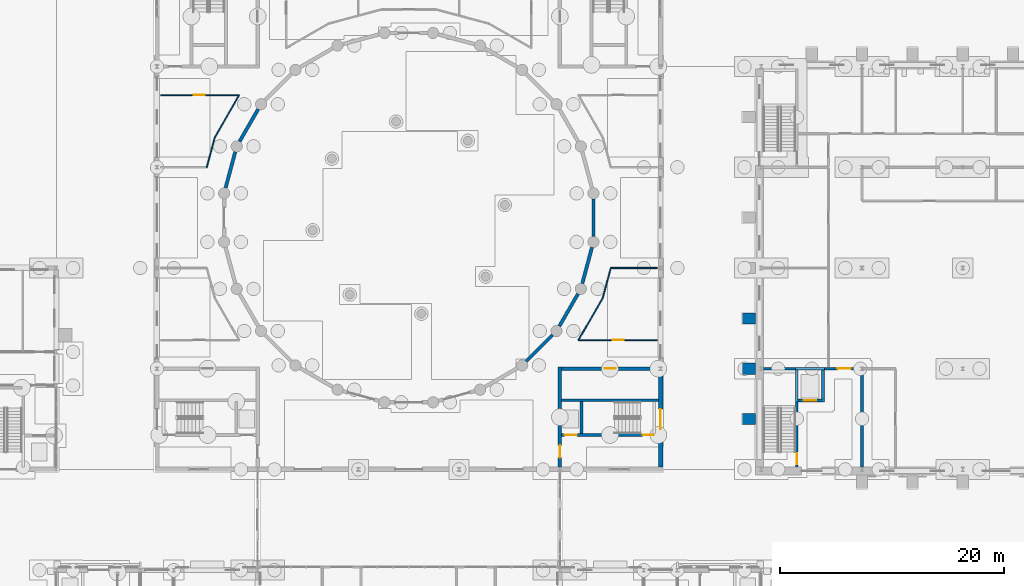
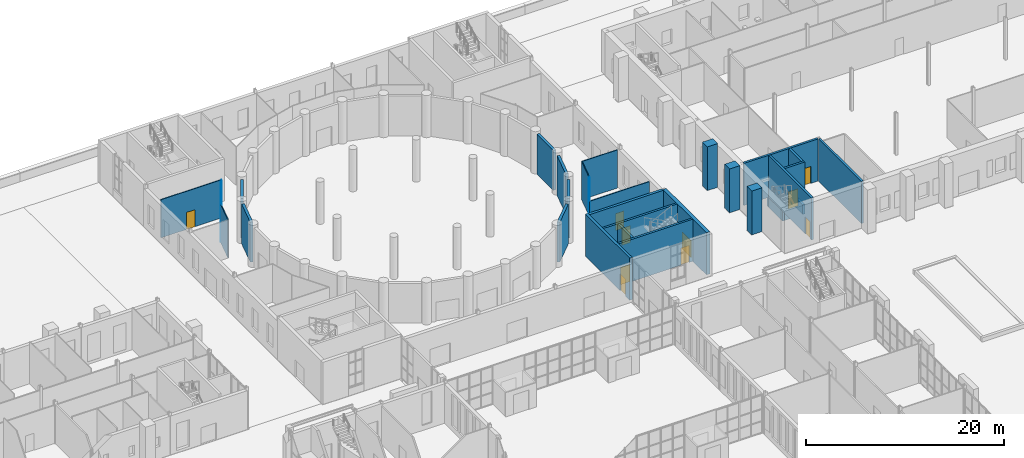
# One storey, part 99 of 168: 31 walls, 10 doors, 10 openings.
"""IFC4 building model written with IfcOpenShell, lengths in metres."""

from ifc_helpers import new_model, si_unit, direction, frame, frame_2d, origin, place, context, subcontext, project, spatial, rectangle, extrude, material, layer, layer_set, type_object, element, fill, save


model = new_model("IFC4")

# Units and contexts
model_context = context("Model", 3, precision=1e-05, world=origin(), true_north=direction((0.0, 1.0)))
body_context = subcontext(model_context, "Body", "Model", "MODEL_VIEW")
ifc_project = project(units=[si_unit("LENGTHUNIT", "METRE"), si_unit("AREAUNIT", "SQUARE_METRE"), si_unit("VOLUMEUNIT", "CUBIC_METRE"), si_unit("PLANEANGLEUNIT", "RADIAN"), si_unit("MASSUNIT", "GRAM", prefix="KILO")], contexts=[model_context])

# Site, building, storey
site_placement = place(None, origin())
site = spatial("IfcSite", under=ifc_project, at=site_placement, CompositionType="ELEMENT")
building_placement = place(site_placement, origin())
building = spatial("IfcBuilding", under=site, at=building_placement, Name="Golden Quay Civic Hall", CompositionType="ELEMENT")
storey_placement = place(building_placement, origin())
storey = spatial("IfcBuildingStorey", under=building, at=storey_placement, Name="L00", CompositionType="ELEMENT", Elevation=0.0)

# Wall, opening, door
ifc_material_1 = material(Name="Concrete C40/50", Category="concrete")
ifc_layer_1 = layer(ifc_material_1, 0.25)
ifc_layer_set_1 = layer_set([ifc_layer_1], Name="Concrete core wall 250, Concrete C40/50")
wall_type_1 = type_object("IfcWallType", Name="Concrete core wall 250", PredefinedType="SHEAR", material=ifc_layer_set_1)
wall_1_placement = place(storey_placement, frame((120.175048828125, 63.199951171875, 0.0), z_axis=(0.0, 0.0, 1.0), x_axis=(0.0, 1.0, 0.0)))
wall_1 = element("IfcWall", 1, at=wall_1_placement, inside=storey, type_object=wall_type_1, Name="L00 core wall W stair east", PredefinedType="SHEAR", context=body_context, shape_type="SweptSolid", body=[
    extrude(rectangle(XDim=8.675048828125, YDim=0.25, at=frame_2d((4.33740234375, 0.0))), origin(), (0.0, 0.0, 1.0), 5.199951171875),
])
opening_1_placement = place(wall_1_placement, frame((0.25, 0.0, 0.0)))
opening_1 = element("IfcOpeningElement", 2, at=opening_1_placement, cuts=wall_1, Name="Opening L00-D220", PredefinedType="OPENING", context=body_context, shape_type="SweptSolid", body=[
    extrude(rectangle(XDim=1.0, YDim=2.10009765625, at=frame_2d((0.5, 1.050048828125))), frame((0.0, 0.135009765625, 0.0), z_axis=(0.0, -1.0, 0.0), x_axis=(1.0, 0.0, 0.0)), (0.0, 0.0, 1.0), 0.27001953125),
])
ifc_material_2 = material(Name="Steel", Category="steel")
door_type_1 = type_object("IfcDoorType", Name="Steel fire door FD60 1000 x 2100", OperationType="SINGLE_SWING_LEFT", PredefinedType="DOOR", material=ifc_material_2)
door_1_placement = place(opening_1_placement, frame((1.0, 0.0, 0.0), z_axis=(0.0, 0.0, 1.0), x_axis=(-1.0, 0.0, 0.0)))
door_1 = element("IfcDoor", 3, at=door_1_placement, inside=storey, type_object=door_type_1, Name="Stair door LB-W", OperationType="SINGLE_SWING_RIGHT", OverallHeight=2.10009765625, OverallWidth=1.0, PredefinedType="DOOR", context=body_context, shape_type="SweptSolid", body=[
    extrude(rectangle(XDim=1.0, YDim=2.10009765625, at=frame_2d((0.5, 1.050048828125))), frame((0.0, 0.025146484375, 0.0), z_axis=(0.0, -1.0, 0.0), x_axis=(1.0, 0.0, 0.0)), (0.0, 0.0, 1.0), 0.050048828125),
])
fill(opening_1, door_1)

# Wall
wall_2_placement = place(storey_placement, frame((126.0, 63.199951171875, 0.0), z_axis=(0.0, 0.0, 1.0), x_axis=(0.0, 1.0, 0.0)))
element("IfcWall", 4, at=wall_2_placement, inside=storey, type_object=wall_type_1, Name="L00 core wall W east boundary", PredefinedType="SHEAR", context=body_context, shape_type="SweptSolid", body=[
    extrude(rectangle(XDim=8.650146484375, YDim=0.25, at=frame_2d((4.3251953125, 0.0))), origin(), (0.0, 0.0, 1.0), 5.199951171875),
])

# Wall, opening, door
wall_3_placement = place(storey_placement, frame((117.199951171875, 72.0, 0.0), z_axis=(0.0, 0.0, 1.0), x_axis=(1.0, 0.0, 0.0)))
wall_3 = element("IfcWall", 5, at=wall_3_placement, inside=storey, type_object=wall_type_1, Name="L00 core wall W north boundary", PredefinedType="SHEAR", context=body_context, shape_type="SweptSolid", body=[
    extrude(rectangle(XDim=8.650146484375, YDim=0.25, at=frame_2d((4.3251953125, 0.0))), origin(), (0.0, 0.0, 1.0), 5.199951171875),
])
opening_2_placement = place(wall_3_placement, frame((6.60009765625, 0.0, 0.0)))
opening_2 = element("IfcOpeningElement", 6, at=opening_2_placement, cuts=wall_3, Name="Opening L00-D222", PredefinedType="OPENING", context=body_context, shape_type="SweptSolid", body=[
    extrude(rectangle(XDim=1.199951171875, YDim=2.10009765625, at=frame_2d((0.60009765625, 1.050048828125))), frame((0.0, 0.135009765625, 0.0), z_axis=(0.0, -1.0, 0.0), x_axis=(1.0, 0.0, 0.0)), (0.0, 0.0, 1.0), 0.27001953125),
])
ifc_material_3 = material(Name="Steel", Category="steel")
door_type_2 = type_object("IfcDoorType", Name="Steel fire door FD60 1200 x 2100", OperationType="SINGLE_SWING_LEFT", PredefinedType="DOOR", material=ifc_material_3)
door_2_placement = place(opening_2_placement, origin())
door_2 = element("IfcDoor", 7, at=door_2_placement, inside=storey, type_object=door_type_2, Name="Lobby door LB-W", OperationType="SINGLE_SWING_LEFT", OverallHeight=2.10009765625, OverallWidth=1.199951171875, PredefinedType="DOOR", context=body_context, shape_type="SweptSolid", body=[
    extrude(rectangle(XDim=1.199951171875, YDim=2.10009765625, at=frame_2d((0.60009765625, 1.050048828125))), frame((0.0, 0.02490234375, 0.0), z_axis=(0.0, -1.0, 0.0), x_axis=(1.0, 0.0, 0.0)), (0.0, 0.0, 1.0), 0.050048828125),
])
fill(opening_2, door_2)

wall_4_placement = place(storey_placement, frame((120.300048828125, 69.14990234375, 0.0), z_axis=(0.0, 0.0, 1.0), x_axis=(1.0, 0.0, 0.0)))
wall_4 = element("IfcWall", 8, at=wall_4_placement, inside=storey, type_object=wall_type_1, Name="L00 core wall W lift south", PredefinedType="SHEAR", context=body_context, shape_type="SweptSolid", body=[
    extrude(rectangle(XDim=2.349853515625, YDim=0.25, at=frame_2d((1.1748046875, 0.0))), origin(), (0.0, 0.0, 1.0), 5.199951171875),
])
opening_3_placement = place(wall_4_placement, frame((0.5, 0.0, 0.0)))
opening_3 = element("IfcOpeningElement", 9, at=opening_3_placement, cuts=wall_4, Name="Opening L00-D221", PredefinedType="OPENING", context=body_context, shape_type="SweptSolid", body=[
    extrude(rectangle(XDim=1.10009765625, YDim=2.10009765625, at=frame_2d((0.550048828125, 1.050048828125))), frame((0.0, 0.135009765625, 0.0), z_axis=(0.0, -1.0, 0.0), x_axis=(1.0, 0.0, 0.0)), (0.0, 0.0, 1.0), 0.27001953125),
])
ifc_material_4 = material(Name="Steel", Category="steel")
door_type_3 = type_object("IfcDoorType", Name="Lift landing door 1100 x 2100", OperationType="SLIDING_TO_LEFT", PredefinedType="DOOR", material=ifc_material_4)
door_3_placement = place(opening_3_placement, origin())
door_3 = element("IfcDoor", 10, at=door_3_placement, inside=storey, type_object=door_type_3, Name="Lift landing door", OperationType="SLIDING_TO_LEFT", OverallHeight=2.10009765625, OverallWidth=1.10009765625, PredefinedType="DOOR", context=body_context, shape_type="SweptSolid", body=[
    extrude(rectangle(XDim=1.10009765625, YDim=2.10009765625, at=frame_2d((0.550048828125, 1.050048828125))), frame((0.0, 0.02490234375, 0.0), z_axis=(0.0, -1.0, 0.0), x_axis=(1.0, 0.0, 0.0)), (0.0, 0.0, 1.0), 0.050048828125),
])
fill(opening_3, door_3)

# Walls
wall_5_placement = place(storey_placement, frame((122.52490234375, 69.27490234375, 0.0), z_axis=(0.0, 0.0, 1.0), x_axis=(0.0, 1.0, 0.0)))
element("IfcWall", 11, at=wall_5_placement, inside=storey, type_object=wall_type_1, Name="L00 core wall W lift east", PredefinedType="SHEAR", context=body_context, shape_type="SweptSolid", body=[
    extrude(rectangle(XDim=2.60009765625, YDim=0.25, at=frame_2d((1.300048828125, 0.0))), origin(), (0.0, 0.0, 1.0), 5.199951171875),
])
wall_6_placement = place(storey_placement, frame((120.300048828125, 69.14990234375, -1.199951171875), z_axis=(0.0, 0.0, 1.0), x_axis=(1.0, 0.0, 0.0)))
element("IfcWall", 12, at=wall_6_placement, inside=storey, type_object=wall_type_1, Name="L00 lift pit wall W south", PredefinedType="SHEAR", context=body_context, shape_type="SweptSolid", body=[
    extrude(rectangle(XDim=2.349853515625, YDim=0.25, at=frame_2d((1.1748046875, 0.0))), origin(), (0.0, 0.0, 1.0), 1.199951171875),
])
for number, where, z_axis, x_axis, name in (
    (13, (122.52490234375, 69.02490234375, -1.199951171875), (0.0, 0.0, 1.0), (0.0, 1.0, 0.0), "L00 lift pit wall W east"),
    (14, (120.175048828125, 69.02490234375, -1.199951171875), (0.0, 0.0, 1.0), (0.0, 1.0, 0.0), "L00 lift pit wall W west"),
):
    element("IfcWall", number, at=place(storey_placement, frame(where, z_axis=z_axis, x_axis=x_axis)), inside=storey, type_object=wall_type_1, Name=name, PredefinedType="SHEAR", context=body_context, shape_type="SweptSolid", body=[
        extrude(rectangle(XDim=2.85009765625, YDim=0.25, at=frame_2d((1.425048828125, 0.0))), origin(), (0.0, 0.0, 1.0), 1.199951171875),
    ])
wall_7_placement = place(storey_placement, frame((120.050048828125, 72.0, -1.199951171875), z_axis=(0.0, 0.0, 1.0), x_axis=(1.0, 0.0, 0.0)))
element("IfcWall", 15, at=wall_7_placement, inside=storey, type_object=wall_type_1, Name="L00 lift pit wall W north", PredefinedType="SHEAR", context=body_context, shape_type="SweptSolid", body=[
    extrude(rectangle(XDim=2.599853515625, YDim=0.25, at=frame_2d((1.2998046875, 0.0))), origin(), (0.0, 0.0, 1.0), 1.199951171875),
])
ifc_material_5 = material(Name="Gypsum board on steel stud", Category="steel")
ifc_layer_2 = layer(ifc_material_5, 0.10009765625)
ifc_layer_set_2 = layer_set([ifc_layer_2], Name="Partition 100 stud fire EI 60")
wall_type_2 = type_object("IfcWallType", Name="Partition 100 stud fire EI 60", PredefinedType="PARTITIONING", material=ifc_layer_set_2)
wall_8_placement = place(storey_placement, frame((67.4443359375, 89.97998046875, 0.0), z_axis=(0.0, 0.0, 1.0), x_axis=(0.258782667083, 0.965935573016, 0.0)))
element("IfcWall", 16, at=wall_8_placement, inside=storey, type_object=wall_type_2, Name="Partition 6", PredefinedType="PARTITIONING", context=body_context, shape_type="SweptSolid", body=[
    extrude(rectangle(XDim=2.79443359375, YDim=0.10009765625, at=frame_2d((1.397216796875, 0.0))), origin(), (0.0, 0.0, 1.0), 4.7099609375),
])
wall_9_placement = place(storey_placement, frame((68.16748046875, 92.67919921875, 0.0), z_axis=(0.0, 0.0, 1.0), x_axis=(0.499992644437, 0.866029650479, 0.0)))
element("IfcWall", 17, at=wall_9_placement, inside=storey, type_object=wall_type_2, Name="Partition 7", PredefinedType="PARTITIONING", context=body_context, shape_type="SweptSolid", body=[
    extrude(rectangle(XDim=4.35400390625, YDim=0.10009765625, at=frame_2d((2.177001953125, 0.0))), origin(), (0.0, 0.0, 1.0), 4.7099609375),
])

# Wall, opening, door
wall_10_placement = place(storey_placement, frame((70.344482421875, 96.449951171875, 0.0), z_axis=(0.0, 0.0, 1.0), x_axis=(-1.0, 0.0, 0.0)))
wall_10 = element("IfcWall", 18, at=wall_10_placement, inside=storey, type_object=wall_type_2, Name="Partition 8", PredefinedType="PARTITIONING", context=body_context, shape_type="SweptSolid", body=[
    extrude(rectangle(XDim=7.0244140625, YDim=0.10009765625, at=frame_2d((3.51220703125, 0.0))), origin(), (0.0, 0.0, 1.0), 4.7099609375),
])
opening_4_placement = place(wall_10_placement, frame((3.072265625, 0.0, 0.0)))
opening_4 = element("IfcOpeningElement", 19, at=opening_4_placement, cuts=wall_10, Name="Opening L00-D195", PredefinedType="OPENING", context=body_context, shape_type="SweptSolid", body=[
    extrude(rectangle(XDim=1.0, YDim=2.10009765625, at=frame_2d((0.5, 1.050048828125))), frame((0.0, 0.06005859375, 0.0), z_axis=(0.0, -1.0, 0.0), x_axis=(1.0, 0.0, 0.0)), (0.0, 0.0, 1.0), 0.1201171875),
])
ifc_material_6 = material(Name="Timber", Category="wood")
door_type_4 = type_object("IfcDoorType", Name="Timber fire door FD30S 1000 x 2100", OperationType="SINGLE_SWING_LEFT", PredefinedType="DOOR", material=ifc_material_6)
door_4_placement = place(opening_4_placement, origin())
door_4 = element("IfcDoor", 20, at=door_4_placement, inside=storey, type_object=door_type_4, Name="Door Members' Post Room", OperationType="SINGLE_SWING_LEFT", OverallHeight=2.10009765625, OverallWidth=1.0, PredefinedType="DOOR", context=body_context, shape_type="SweptSolid", body=[
    extrude(rectangle(XDim=1.0, YDim=2.10009765625, at=frame_2d((0.5, 1.050048828125))), frame((0.0, 0.02490234375, 0.0), z_axis=(0.0, -1.0, 0.0), x_axis=(1.0, 0.0, 0.0)), (0.0, 0.0, 1.0), 0.050048828125),
])
fill(opening_4, door_4)

# Walls
wall_11_placement = place(storey_placement, frame((107.679931640625, 81.0, 0.0), z_axis=(0.0, 0.0, 1.0), x_axis=(-1.0, 0.0, 0.0)))
element("IfcWall", 21, at=wall_11_placement, inside=storey, type_object=wall_type_2, Name="Partition 20", PredefinedType="PARTITIONING", context=body_context, shape_type="SweptSolid", body=[
    extrude(rectangle(XDim=4.129638671875, YDim=0.10009765625, at=frame_2d((2.06494140625, 0.0))), origin(), (0.0, 0.0, 1.0), 4.7099609375),
])
wall_12_placement = place(storey_placement, frame((103.5556640625, 81.02001953125, 0.0), z_axis=(0.0, 0.0, 1.0), x_axis=(-0.258782667083, -0.965935573016, 0.0)))
element("IfcWall", 22, at=wall_12_placement, inside=storey, type_object=wall_type_2, Name="Partition 21", PredefinedType="PARTITIONING", context=body_context, shape_type="SweptSolid", body=[
    extrude(rectangle(XDim=2.79443359375, YDim=0.10009765625, at=frame_2d((1.397216796875, 0.0))), origin(), (0.0, 0.0, 1.0), 4.7099609375),
])
wall_13_placement = place(storey_placement, frame((102.83251953125, 78.32080078125, 0.0), z_axis=(0.0, 0.0, 1.0), x_axis=(-0.499992644437, -0.866029650479, 0.0)))
element("IfcWall", 23, at=wall_13_placement, inside=storey, type_object=wall_type_2, Name="Partition 22", PredefinedType="PARTITIONING", context=body_context, shape_type="SweptSolid", body=[
    extrude(rectangle(XDim=4.35400390625, YDim=0.10009765625, at=frame_2d((2.177001953125, 0.0))), origin(), (0.0, 0.0, 1.0), 4.7099609375),
])

# Wall, opening, door
wall_14_placement = place(storey_placement, frame((100.655517578125, 74.550048828125, 0.0), z_axis=(0.0, 0.0, 1.0), x_axis=(1.0, 0.0, 0.0)))
wall_14 = element("IfcWall", 24, at=wall_14_placement, inside=storey, type_object=wall_type_2, Name="Partition 23", PredefinedType="PARTITIONING", context=body_context, shape_type="SweptSolid", body=[
    extrude(rectangle(XDim=7.0244140625, YDim=0.10009765625, at=frame_2d((3.51220703125, 0.0))), origin(), (0.0, 0.0, 1.0), 4.7099609375),
])
opening_5_placement = place(wall_14_placement, frame((3.072265625, 0.0, 0.0)))
opening_5 = element("IfcOpeningElement", 25, at=opening_5_placement, cuts=wall_14, Name="Opening L00-D199", PredefinedType="OPENING", context=body_context, shape_type="SweptSolid", body=[
    extrude(rectangle(XDim=1.0, YDim=2.10009765625, at=frame_2d((0.5, 1.050048828125))), frame((0.0, 0.06005859375, 0.0), z_axis=(0.0, -1.0, 0.0), x_axis=(1.0, 0.0, 0.0)), (0.0, 0.0, 1.0), 0.1201171875),
])
door_5_placement = place(opening_5_placement, origin())
door_5 = element("IfcDoor", 26, at=door_5_placement, inside=storey, type_object=door_type_4, Name="Door Chamber Staff Room", OperationType="SINGLE_SWING_LEFT", OverallHeight=2.10009765625, OverallWidth=1.0, PredefinedType="DOOR", context=body_context, shape_type="SweptSolid", body=[
    extrude(rectangle(XDim=1.0, YDim=2.10009765625, at=frame_2d((0.5, 1.050048828125))), frame((0.0, 0.02490234375, 0.0), z_axis=(0.0, -1.0, 0.0), x_axis=(1.0, 0.0, 0.0)), (0.0, 0.0, 1.0), 0.050048828125),
])
fill(opening_5, door_5)

ifc_material_7 = material(Name="Concrete C40/50", Category="concrete")
ifc_layer_3 = layer(ifc_material_7, 0.300048828125)
ifc_layer_set_3 = layer_set([ifc_layer_3], Name="Reinforced concrete core wall 300, Concrete C40/50")
wall_type_3 = type_object("IfcWallType", Name="Reinforced concrete core wall 300", PredefinedType="SHEAR", material=ifc_layer_set_3)
wall_15_placement = place(storey_placement, frame((99.0, 63.199951171875, 0.0), z_axis=(0.0, 0.0, 1.0), x_axis=(0.0, 1.0, 0.0)))
wall_15 = element("IfcWall", 27, at=wall_15_placement, inside=storey, type_object=wall_type_3, Name="Core wall SE A", PredefinedType="SHEAR", context=body_context, shape_type="SweptSolid", body=[
    extrude(rectangle(XDim=8.949951171875, YDim=0.300048828125, at=frame_2d((4.47509765625, 0.0))), origin(), (0.0, 0.0, 1.0), 5.199951171875),
])
opening_6_placement = place(wall_15_placement, frame((0.85009765625, 0.0, 0.0)))
opening_6 = element("IfcOpeningElement", 28, at=opening_6_placement, cuts=wall_15, Name="Opening L00-D180", PredefinedType="OPENING", context=body_context, shape_type="SweptSolid", body=[
    extrude(rectangle(XDim=1.10009765625, YDim=2.10009765625, at=frame_2d((0.550048828125, 1.050048828125))), frame((0.0, 0.159912109375, 0.0), z_axis=(0.0, -1.0, 0.0), x_axis=(1.0, 0.0, 0.0)), (0.0, 0.0, 1.0), 0.320068359375),
])
ifc_material_8 = material(Name="Steel", Category="steel")
door_type_5 = type_object("IfcDoorType", Name="Steel fire door FD60 1100 x 2100", OperationType="SINGLE_SWING_LEFT", PredefinedType="DOOR", material=ifc_material_8)
door_6_placement = place(opening_6_placement, origin())
door_6 = element("IfcDoor", 29, at=door_6_placement, inside=storey, type_object=door_type_5, Name="Core lobby door SE", OperationType="SINGLE_SWING_LEFT", OverallHeight=2.10009765625, OverallWidth=1.10009765625, PredefinedType="DOOR", context=body_context, shape_type="SweptSolid", body=[
    extrude(rectangle(XDim=1.10009765625, YDim=2.10009765625, at=frame_2d((0.550048828125, 1.050048828125))), frame((0.0, 0.02490234375, 0.0), z_axis=(0.0, -1.0, 0.0), x_axis=(1.0, 0.0, 0.0)), (0.0, 0.0, 1.0), 0.050048828125),
])
fill(opening_6, door_6)

wall_16_placement = place(storey_placement, frame((107.800048828125, 72.0, 0.0), z_axis=(0.0, 0.0, 1.0), x_axis=(-1.0, 0.0, 0.0)))
wall_16 = element("IfcWall", 30, at=wall_16_placement, inside=storey, type_object=wall_type_3, Name="Core wall SE B", PredefinedType="SHEAR", context=body_context, shape_type="SweptSolid", body=[
    extrude(rectangle(XDim=8.650146484375, YDim=0.300048828125, at=frame_2d((4.3251953125, 0.0))), origin(), (0.0, 0.0, 1.0), 5.199951171875),
])
opening_7_placement = place(wall_16_placement, frame((3.800048828125, 0.0, 0.0)))
opening_7 = element("IfcOpeningElement", 31, at=opening_7_placement, cuts=wall_16, Name="Opening L00-D181", PredefinedType="OPENING", context=body_context, shape_type="SweptSolid", body=[
    extrude(rectangle(XDim=1.0, YDim=2.10009765625, at=frame_2d((0.5, 1.050048828125))), frame((0.0, 0.159912109375, 0.0), z_axis=(0.0, -1.0, 0.0), x_axis=(1.0, 0.0, 0.0)), (0.0, 0.0, 1.0), 0.320068359375),
])
door_7_placement = place(opening_7_placement, origin())
door_7 = element("IfcDoor", 32, at=door_7_placement, inside=storey, type_object=door_type_1, Name="Service door SE", OperationType="SINGLE_SWING_LEFT", OverallHeight=2.10009765625, OverallWidth=1.0, PredefinedType="DOOR", context=body_context, shape_type="SweptSolid", body=[
    extrude(rectangle(XDim=1.0, YDim=2.10009765625, at=frame_2d((0.5, 1.050048828125))), frame((0.0, 0.02490234375, 0.0), z_axis=(0.0, -1.0, 0.0), x_axis=(1.0, 0.0, 0.0)), (0.0, 0.0, 1.0), 0.050048828125),
])
fill(opening_7, door_7)

# Wall, openings, doors
ifc_material_9 = material(Name="Concrete C40/50", Category="concrete")
ifc_layer_4 = layer(ifc_material_9, 0.25)
ifc_layer_set_4 = layer_set([ifc_layer_4], Name="Reinforced concrete shaft wall 250, Concrete C40/50")
wall_type_4 = type_object("IfcWallType", Name="Reinforced concrete shaft wall 250", PredefinedType="SHEAR", material=ifc_layer_set_4)
wall_17_placement = place(storey_placement, frame((107.800048828125, 66.074951171875, 0.0), z_axis=(0.0, 0.0, 1.0), x_axis=(-1.0, 0.0, 0.0)))
wall_17 = element("IfcWall", 33, at=wall_17_placement, inside=storey, type_object=wall_type_4, Name="Shaft wall SE 1", PredefinedType="SHEAR", context=body_context, shape_type="SweptSolid", body=[
    extrude(rectangle(XDim=8.650146484375, YDim=0.25, at=frame_2d((4.3251953125, 0.0))), origin(), (0.0, 0.0, 1.0), 5.199951171875),
])
opening_8_placement = place(wall_17_placement, frame((0.39990234375, 0.0, 0.0)))
opening_8 = element("IfcOpeningElement", 34, at=opening_8_placement, cuts=wall_17, Name="Opening L00-D179", PredefinedType="OPENING", context=body_context, shape_type="SweptSolid", body=[
    extrude(rectangle(XDim=1.0, YDim=2.10009765625, at=frame_2d((0.5, 1.050048828125))), frame((0.0, 0.135009765625, 0.0), z_axis=(0.0, -1.0, 0.0), x_axis=(1.0, 0.0, 0.0)), (0.0, 0.0, 1.0), 0.27001953125),
])
opening_9_placement = place(wall_17_placement, frame((7.27490234375, 0.0, 0.0)))
opening_9 = element("IfcOpeningElement", 35, at=opening_9_placement, cuts=wall_17, Name="Opening L00-D182", PredefinedType="OPENING", context=body_context, shape_type="SweptSolid", body=[
    extrude(rectangle(XDim=1.10009765625, YDim=2.10009765625, at=frame_2d((0.550048828125, 1.050048828125))), frame((0.0, 0.135009765625, 0.0), z_axis=(0.0, -1.0, 0.0), x_axis=(1.0, 0.0, 0.0)), (0.0, 0.0, 1.0), 0.27001953125),
])
door_8_placement = place(opening_9_placement, origin())
door_8 = element("IfcDoor", 36, at=door_8_placement, inside=storey, type_object=door_type_3, Name="Lift SE landing door", OperationType="SLIDING_TO_LEFT", OverallHeight=2.10009765625, OverallWidth=1.10009765625, PredefinedType="DOOR", context=body_context, shape_type="SweptSolid", body=[
    extrude(rectangle(XDim=1.10009765625, YDim=2.10009765625, at=frame_2d((0.550048828125, 1.050048828125))), frame((0.0, 0.02490234375, 0.0), z_axis=(0.0, -1.0, 0.0), x_axis=(1.0, 0.0, 0.0)), (0.0, 0.0, 1.0), 0.050048828125),
])
fill(opening_9, door_8)
door_9_placement = place(opening_8_placement, frame((1.0, 0.0, 0.0), z_axis=(0.0, 0.0, 1.0), x_axis=(-1.0, 0.0, 0.0)))
door_9 = element("IfcDoor", 37, at=door_9_placement, inside=storey, type_object=door_type_5, Name="Stair door SE", OperationType="SINGLE_SWING_RIGHT", OverallHeight=2.10009765625, OverallWidth=1.0, PredefinedType="DOOR", context=body_context, shape_type="SweptSolid", body=[
    extrude(rectangle(XDim=1.0, YDim=2.10009765625, at=frame_2d((0.5, 1.050048828125))), frame((0.0, 0.025146484375, 0.0), z_axis=(0.0, -1.0, 0.0), x_axis=(1.0, 0.0, 0.0)), (0.0, 0.0, 1.0), 0.050048828125),
])
fill(opening_8, door_9)

# Walls
wall_18_placement = place(storey_placement, frame((107.800048828125, 69.175048828125, 0.0), z_axis=(0.0, 0.0, 1.0), x_axis=(-1.0, 0.0, 0.0)))
element("IfcWall", 38, at=wall_18_placement, inside=storey, type_object=wall_type_4, Name="Shaft wall SE 2", PredefinedType="SHEAR", context=body_context, shape_type="SweptSolid", body=[
    extrude(rectangle(XDim=8.650146484375, YDim=0.25, at=frame_2d((4.3251953125, 0.0))), origin(), (0.0, 0.0, 1.0), 5.199951171875),
])
wall_19_placement = place(storey_placement, frame((100.925048828125, 66.199951171875, 0.0), z_axis=(0.0, 0.0, 1.0), x_axis=(0.0, 1.0, 0.0)))
element("IfcWall", 39, at=wall_19_placement, inside=storey, type_object=wall_type_4, Name="Shaft wall SE 3", PredefinedType="SHEAR", context=body_context, shape_type="SweptSolid", body=[
    extrude(rectangle(XDim=2.85009765625, YDim=0.25, at=frame_2d((1.425048828125, 0.0))), origin(), (0.0, 0.0, 1.0), 5.199951171875),
])

# Wall, opening, door
ifc_material_10 = material(Name="Brick masonry with render", Category="masonry")
ifc_layer_5 = layer(ifc_material_10, 0.39990234375)
ifc_layer_set_5 = layer_set([ifc_layer_5], Name="Rendered brick external wall 400 fire EI 120")
wall_type_5 = type_object("IfcWallType", Name="Rendered brick external wall 400 fire EI 120", PredefinedType="STANDARD", material=ifc_layer_set_5)
wall_20_placement = place(storey_placement, frame((108.0, 63.199951171875, 0.0), z_axis=(0.0, 0.0, 1.0), x_axis=(0.0, 1.0, 0.0)))
wall_20 = element("IfcWall", 40, at=wall_20_placement, inside=storey, type_object=wall_type_5, Name="Base wall E 63", PredefinedType="STANDARD", context=body_context, shape_type="SweptSolid", body=[
    extrude(rectangle(XDim=8.800048828125, YDim=0.39990234375, at=frame_2d((4.39990234375, 0.0))), origin(), (0.0, 0.0, 1.0), 5.199951171875),
])
opening_10_placement = place(wall_20_placement, frame((3.39990234375, 0.0, 0.0)))
opening_10 = element("IfcOpeningElement", 41, at=opening_10_placement, cuts=wall_20, Name="Opening L00-D035", PredefinedType="OPENING", context=body_context, shape_type="SweptSolid", body=[
    extrude(rectangle(XDim=1.800048828125, YDim=2.10009765625, at=frame_2d((0.89990234375, 1.050048828125))), frame((0.0, 0.2099609375, 0.0), z_axis=(0.0, -1.0, 0.0), x_axis=(1.0, 0.0, 0.0)), (0.0, 0.0, 1.0), 0.419921875),
])
ifc_material_11 = material(Name="Steel", Category="steel")
door_type_6 = type_object("IfcDoorType", Name="Steel double exit door FD60 1800 x 2100", OperationType="DOUBLE_DOOR_SINGLE_SWING", PredefinedType="DOOR", material=ifc_material_11)
door_10_placement = place(opening_10_placement, frame((1.800048828125, 0.0, 0.0), z_axis=(0.0, 0.0, 1.0), x_axis=(-1.0, 0.0, 0.0)))
door_10 = element("IfcDoor", 42, at=door_10_placement, inside=storey, type_object=door_type_6, Name="Stair exit door", OperationType="DOUBLE_DOOR_SINGLE_SWING", OverallHeight=2.10009765625, OverallWidth=1.800048828125, PredefinedType="DOOR", context=body_context, shape_type="SweptSolid", body=[
    extrude(rectangle(XDim=1.800048828125, YDim=2.10009765625, at=frame_2d((0.900146484375, 1.050048828125))), frame((0.0, 0.025146484375, 0.0), z_axis=(0.0, -1.0, 0.0), x_axis=(1.0, 0.0, 0.0)), (0.0, 0.0, 1.0), 0.050048828125),
])
fill(opening_10, door_10)

# Walls
ifc_material_12 = material(Name="Concrete C30/37", Category="concrete")
ifc_layer_6 = layer(ifc_material_12, 0.300048828125)
ifc_layer_set_6 = layer_set([ifc_layer_6], Name="Rotunda enclosure wall 300")
wall_type_6 = type_object("IfcWallType", Name="Rotunda enclosure wall 300", PredefinedType="PARTITIONING", material=ifc_layer_set_6)
for number, where, z_axis, x_axis, name in (
    (43, (72.046630859375, 95.1982421875, 0.0), (0.0, 0.0, 1.0), (-0.49996257386, -0.866047010698, 0.0), "Rotunda wall 10"),
    (44, (69.9951171875, 91.3857421875, 0.0), (0.0, 0.0, 1.0), (-0.258852846257, -0.965916768663, 0.0), "Rotunda wall 11"),
):
    element("IfcWall", number, at=place(storey_placement, frame(where, z_axis=z_axis, x_axis=x_axis)), inside=storey, type_object=wall_type_6, Name=name, PredefinedType="PARTITIONING", context=body_context, shape_type="SweptSolid", body=[
        extrude(rectangle(XDim=3.344482421875, YDim=0.300048828125, at=frame_2d((1.67236328125, 0.0))), origin(), (0.0, 0.0, 1.0), 4.909912109375),
    ])
wall_21_placement = place(storey_placement, frame((95.98486328125, 72.650390625, 0.0), z_axis=(0.0, 0.0, 1.0), x_axis=(0.707106781187, 0.707106781187, 0.0)))
element("IfcWall", 45, at=wall_21_placement, inside=storey, type_object=wall_type_6, Name="Rotunda wall 21", PredefinedType="PARTITIONING", context=body_context, shape_type="SweptSolid", body=[
    extrude(rectangle(XDim=3.34423828125, YDim=0.300048828125, at=frame_2d((1.672119140625, 0.0))), origin(), (0.0, 0.0, 1.0), 4.909912109375),
])
for number, where, z_axis, x_axis, name in (
    (46, (98.953369140625, 75.8017578125, 0.0), (0.0, 0.0, 1.0), (0.49996257386, 0.866047010698, 0.0), "Rotunda wall 22"),
    (47, (101.0048828125, 79.6142578125, 0.0), (0.0, 0.0, 1.0), (0.258852846257, 0.965916768663, 0.0), "Rotunda wall 23"),
):
    element("IfcWall", number, at=place(storey_placement, frame(where, z_axis=z_axis, x_axis=x_axis)), inside=storey, type_object=wall_type_6, Name=name, PredefinedType="PARTITIONING", context=body_context, shape_type="SweptSolid", body=[
        extrude(rectangle(XDim=3.344482421875, YDim=0.300048828125, at=frame_2d((1.67236328125, 0.0))), origin(), (0.0, 0.0, 1.0), 4.909912109375),
    ])
wall_22_placement = place(storey_placement, frame((102.0, 83.82763671875, 0.0), z_axis=(0.0, 0.0, 1.0), x_axis=(0.0, 1.0, 0.0)))
element("IfcWall", 48, at=wall_22_placement, inside=storey, type_object=wall_type_6, Name="Rotunda wall 24", PredefinedType="PARTITIONING", context=body_context, shape_type="SweptSolid", body=[
    extrude(rectangle(XDim=3.3447265625, YDim=0.300048828125, at=frame_2d((1.67236328125, 0.0))), origin(), (0.0, 0.0, 1.0), 4.909912109375),
])
ifc_material_13 = material(Name="Limestone, rusticated facing", Category="masonry")
ifc_layer_7 = layer(ifc_material_13, 1.199951171875)
ifc_layer_set_7 = layer_set([ifc_layer_7], Name="Stone base pier 1000 x 1200")
wall_type_7 = type_object("IfcWallType", Name="Stone base pier 1000 x 1200", PredefinedType="STANDARD", material=ifc_layer_set_7)
for number, where, z_axis, x_axis, name in (
    (49, (115.89990234375, 67.0, 0.0), (0.0, 0.0, 1.0), (0.0, 1.0, 0.0), "Stone base pier 1000 x 1200 L00 20"),
    (50, (115.89990234375, 71.5, 0.0), (0.0, 0.0, 1.0), (0.0, 1.0, 0.0), "Stone base pier 1000 x 1200 L00 21"),
    (51, (115.89990234375, 76.0, 0.0), (0.0, 0.0, 1.0), (0.0, 1.0, 0.0), "Stone base pier 1000 x 1200 L00 22"),
):
    element("IfcWall", number, at=place(storey_placement, frame(where, z_axis=z_axis, x_axis=x_axis)), inside=storey, type_object=wall_type_7, Name=name, PredefinedType="STANDARD", context=body_context, shape_type="SweptSolid", body=[
        extrude(rectangle(XDim=1.0, YDim=1.199951171875, at=frame_2d((0.5, 0.0))), origin(), (0.0, 0.0, 1.0), 5.39990234375),
    ])

save(model, "model.ifc")
